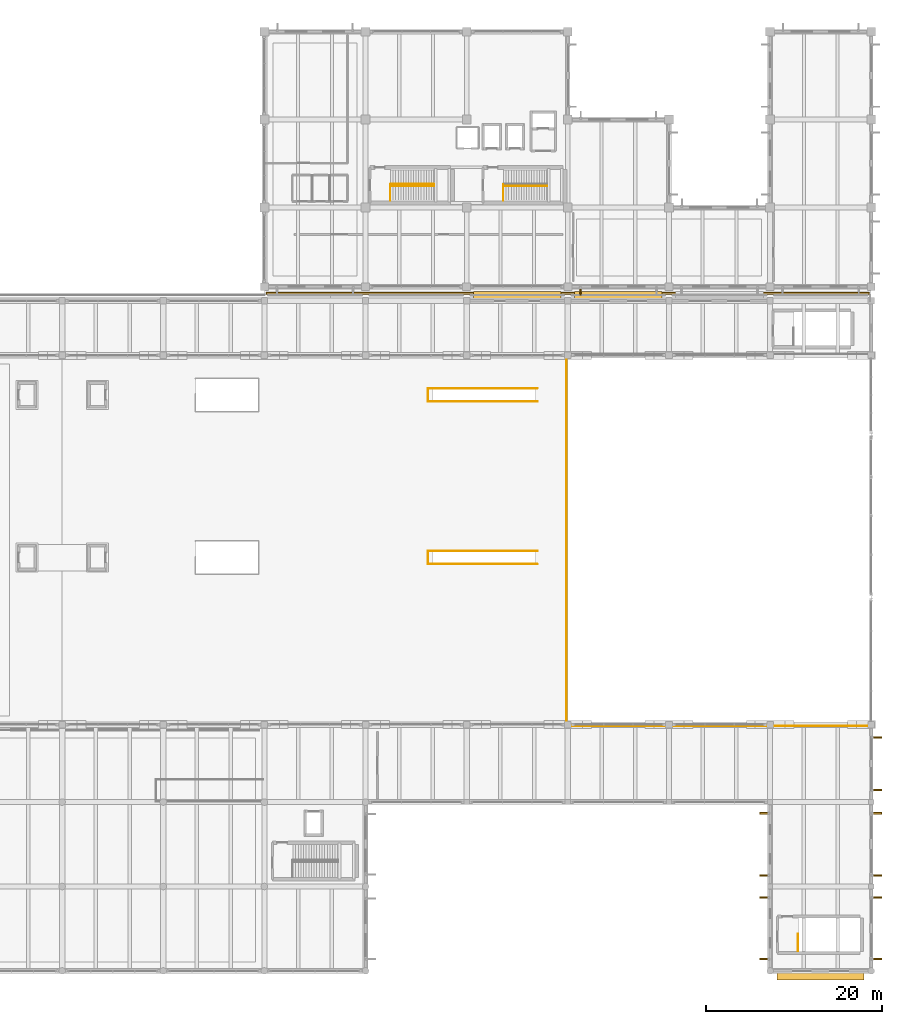
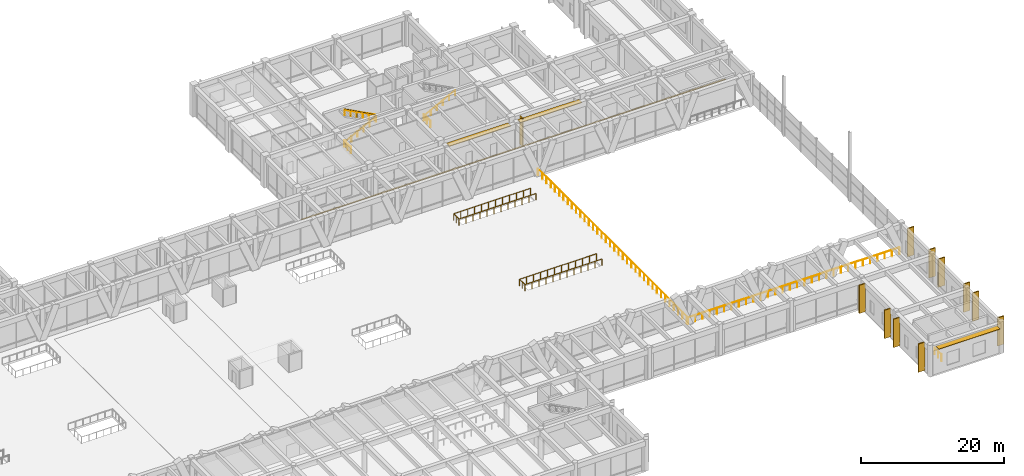
# One storey, part 147 of 148: 14 shading devices, 11 railings, 1 covering.
"""IFC4 building model written with IfcOpenShell, lengths in metres."""

from ifc_helpers import new_model, si_unit, direction, frame, origin, origin_2d, place, context, subcontext, project, spatial, polyline, rectangle, circle, outline, extrude, material, layer, layer_set, type_object, element, save


model = new_model("IFC4")

# Units and contexts
model_context = context("Model", 3, precision=1e-05, world=origin(), true_north=direction((0.0, 1.0)))
body_context = subcontext(model_context, "Body", "Model", "MODEL_VIEW")
ifc_project = project(units=[si_unit("LENGTHUNIT", "METRE"), si_unit("AREAUNIT", "SQUARE_METRE"), si_unit("VOLUMEUNIT", "CUBIC_METRE"), si_unit("PLANEANGLEUNIT", "RADIAN"), si_unit("MASSUNIT", "GRAM", prefix="KILO")], contexts=[model_context])

# Site, building, storey
site_placement = place(None, origin())
site = spatial("IfcSite", under=ifc_project, at=site_placement, CompositionType="ELEMENT")
building_placement = place(site_placement, origin())
building = spatial("IfcBuilding", under=site, at=building_placement, Name="Ologun Quay Terminus", CompositionType="ELEMENT")
storey_placement = place(building_placement, frame((0.0, 0.0, 8.39990234375)))
storey = spatial("IfcBuildingStorey", under=building, at=storey_placement, Name="L02", CompositionType="ELEMENT", Elevation=8.39990234375)

# Railings
ifc_material_1 = material(Name="Glass", Category="glass")
railing_type_1 = type_object("IfcRailingType", Name="Concourse & Atrium Glazed Balustrade 1150", PredefinedType="BALUSTRADE", material=ifc_material_1)
railing_1_placement = place(storey_placement, frame((146.050048828125, 54.25, 0.0)))
element("IfcRailing", 1, at=railing_1_placement, inside=storey, type_object=railing_type_1, Name="BL-GL Escalator Well Balustrade ESC-02", PredefinedType="BALUSTRADE", context=body_context, shape_type="SweptSolid", body=[
    extrude(circle(Radius=0.02392578125, at=origin_2d()), frame((0.0, 0.0, 1.1259765625), z_axis=(-1.0, 0.0, 0.0), x_axis=(0.0, -1.0, 0.0)), (0.0, 0.0, 1.0), 12.449951171875),
    extrude(circle(Radius=0.02392578125, at=origin_2d()), frame((-12.449951171875, 0.0, 1.1259765625), z_axis=(0.0, 1.0, 0.0), x_axis=(-1.0, 0.0, 0.0)), (0.0, 0.0, 1.0), 1.5),
    extrude(circle(Radius=0.02392578125, at=origin_2d()), frame((-12.449951171875, 1.5, 1.1259765625), z_axis=(1.0, 0.0, 0.0), x_axis=(0.0, 1.0, 0.0)), (0.0, 0.0, 1.0), 12.449951171875),
    extrude(circle(Radius=0.02099609375, at=origin_2d()), origin(), (0.0, 0.0, 1.0), 1.101806640625),
    extrude(circle(Radius=0.02099609375, at=origin_2d()), frame((-1.1318359375, 0.0, 0.0)), (0.0, 0.0, 1.0), 1.101806640625),
    extrude(circle(Radius=0.02099609375, at=origin_2d()), frame((-2.263671875, 0.0, 0.0)), (0.0, 0.0, 1.0), 1.101806640625),
    extrude(circle(Radius=0.02099609375, at=origin_2d()), frame((-3.3955078125, 0.0, 0.0)), (0.0, 0.0, 1.0), 1.101806640625),
    extrude(circle(Radius=0.02099609375, at=origin_2d()), frame((-4.52734375, 0.0, 0.0)), (0.0, 0.0, 1.0), 1.101806640625),
    extrude(circle(Radius=0.02099609375, at=origin_2d()), frame((-5.6591796875, 0.0, 0.0)), (0.0, 0.0, 1.0), 1.101806640625),
    extrude(circle(Radius=0.02099609375, at=origin_2d()), frame((-6.790771484375, 0.0, 0.0)), (0.0, 0.0, 1.0), 1.101806640625),
    extrude(circle(Radius=0.02099609375, at=origin_2d()), frame((-7.922607421875, 0.0, 0.0)), (0.0, 0.0, 1.0), 1.101806640625),
    extrude(circle(Radius=0.02099609375, at=origin_2d()), frame((-9.054443359375, 0.0, 0.0)), (0.0, 0.0, 1.0), 1.101806640625),
    extrude(circle(Radius=0.02099609375, at=origin_2d()), frame((-10.186279296875, 0.0, 0.0)), (0.0, 0.0, 1.0), 1.101806640625),
    extrude(circle(Radius=0.02099609375, at=origin_2d()), frame((-11.318115234375, 0.0, 0.0)), (0.0, 0.0, 1.0), 1.101806640625),
    extrude(circle(Radius=0.02099609375, at=origin_2d()), frame((-12.449951171875, 0.0, 0.0)), (0.0, 0.0, 1.0), 1.101806640625),
    extrude(circle(Radius=0.02099609375, at=origin_2d()), frame((-12.449951171875, 0.75, 0.0)), (0.0, 0.0, 1.0), 1.101806640625),
    extrude(circle(Radius=0.02099609375, at=origin_2d()), frame((-12.449951171875, 1.5, 0.0)), (0.0, 0.0, 1.0), 1.101806640625),
    extrude(circle(Radius=0.02099609375, at=origin_2d()), frame((-11.318115234375, 1.5, 0.0)), (0.0, 0.0, 1.0), 1.101806640625),
    extrude(circle(Radius=0.02099609375, at=origin_2d()), frame((-10.186279296875, 1.5, 0.0)), (0.0, 0.0, 1.0), 1.101806640625),
    extrude(circle(Radius=0.02099609375, at=origin_2d()), frame((-9.054443359375, 1.5, 0.0)), (0.0, 0.0, 1.0), 1.101806640625),
    extrude(circle(Radius=0.02099609375, at=origin_2d()), frame((-7.922607421875, 1.5, 0.0)), (0.0, 0.0, 1.0), 1.101806640625),
    extrude(circle(Radius=0.02099609375, at=origin_2d()), frame((-6.790771484375, 1.5, 0.0)), (0.0, 0.0, 1.0), 1.101806640625),
    extrude(circle(Radius=0.02099609375, at=origin_2d()), frame((-5.6591796875, 1.5, 0.0)), (0.0, 0.0, 1.0), 1.101806640625),
    extrude(circle(Radius=0.02099609375, at=origin_2d()), frame((-4.52734375, 1.5, 0.0)), (0.0, 0.0, 1.0), 1.101806640625),
    extrude(circle(Radius=0.02099609375, at=origin_2d()), frame((-3.3955078125, 1.5, 0.0)), (0.0, 0.0, 1.0), 1.101806640625),
    extrude(circle(Radius=0.02099609375, at=origin_2d()), frame((-2.263671875, 1.5, 0.0)), (0.0, 0.0, 1.0), 1.101806640625),
    extrude(circle(Radius=0.02099609375, at=origin_2d()), frame((-1.1318359375, 1.5, 0.0)), (0.0, 0.0, 1.0), 1.101806640625),
    extrude(circle(Radius=0.02099609375, at=origin_2d()), frame((0.0, 1.5, 0.0)), (0.0, 0.0, 1.0), 1.101806640625),
])
railing_2_placement = place(storey_placement, frame((146.050048828125, 72.75, 0.0)))
element("IfcRailing", 2, at=railing_2_placement, inside=storey, type_object=railing_type_1, Name="BL-GL Escalator Well Balustrade ESC-04", PredefinedType="BALUSTRADE", context=body_context, shape_type="SweptSolid", body=[
    extrude(circle(Radius=0.02392578125, at=origin_2d()), frame((0.0, 0.0, 1.1259765625), z_axis=(-1.0, 0.0, 0.0), x_axis=(0.0, -1.0, 0.0)), (0.0, 0.0, 1.0), 12.449951171875),
    extrude(circle(Radius=0.02392578125, at=origin_2d()), frame((-12.449951171875, 0.0, 1.1259765625), z_axis=(0.0, 1.0, 0.0), x_axis=(-1.0, 0.0, 0.0)), (0.0, 0.0, 1.0), 1.5),
    extrude(circle(Radius=0.02392578125, at=origin_2d()), frame((-12.449951171875, 1.5, 1.1259765625), z_axis=(1.0, 0.0, 0.0), x_axis=(0.0, 1.0, 0.0)), (0.0, 0.0, 1.0), 12.449951171875),
    extrude(circle(Radius=0.02099609375, at=origin_2d()), origin(), (0.0, 0.0, 1.0), 1.101806640625),
    extrude(circle(Radius=0.02099609375, at=origin_2d()), frame((-1.1318359375, 0.0, 0.0)), (0.0, 0.0, 1.0), 1.101806640625),
    extrude(circle(Radius=0.02099609375, at=origin_2d()), frame((-2.263671875, 0.0, 0.0)), (0.0, 0.0, 1.0), 1.101806640625),
    extrude(circle(Radius=0.02099609375, at=origin_2d()), frame((-3.3955078125, 0.0, 0.0)), (0.0, 0.0, 1.0), 1.101806640625),
    extrude(circle(Radius=0.02099609375, at=origin_2d()), frame((-4.52734375, 0.0, 0.0)), (0.0, 0.0, 1.0), 1.101806640625),
    extrude(circle(Radius=0.02099609375, at=origin_2d()), frame((-5.6591796875, 0.0, 0.0)), (0.0, 0.0, 1.0), 1.101806640625),
    extrude(circle(Radius=0.02099609375, at=origin_2d()), frame((-6.790771484375, 0.0, 0.0)), (0.0, 0.0, 1.0), 1.101806640625),
    extrude(circle(Radius=0.02099609375, at=origin_2d()), frame((-7.922607421875, 0.0, 0.0)), (0.0, 0.0, 1.0), 1.101806640625),
    extrude(circle(Radius=0.02099609375, at=origin_2d()), frame((-9.054443359375, 0.0, 0.0)), (0.0, 0.0, 1.0), 1.101806640625),
    extrude(circle(Radius=0.02099609375, at=origin_2d()), frame((-10.186279296875, 0.0, 0.0)), (0.0, 0.0, 1.0), 1.101806640625),
    extrude(circle(Radius=0.02099609375, at=origin_2d()), frame((-11.318115234375, 0.0, 0.0)), (0.0, 0.0, 1.0), 1.101806640625),
    extrude(circle(Radius=0.02099609375, at=origin_2d()), frame((-12.449951171875, 0.0, 0.0)), (0.0, 0.0, 1.0), 1.101806640625),
    extrude(circle(Radius=0.02099609375, at=origin_2d()), frame((-12.449951171875, 0.75, 0.0)), (0.0, 0.0, 1.0), 1.101806640625),
    extrude(circle(Radius=0.02099609375, at=origin_2d()), frame((-12.449951171875, 1.5, 0.0)), (0.0, 0.0, 1.0), 1.101806640625),
    extrude(circle(Radius=0.02099609375, at=origin_2d()), frame((-11.318115234375, 1.5, 0.0)), (0.0, 0.0, 1.0), 1.101806640625),
    extrude(circle(Radius=0.02099609375, at=origin_2d()), frame((-10.186279296875, 1.5, 0.0)), (0.0, 0.0, 1.0), 1.101806640625),
    extrude(circle(Radius=0.02099609375, at=origin_2d()), frame((-9.054443359375, 1.5, 0.0)), (0.0, 0.0, 1.0), 1.101806640625),
    extrude(circle(Radius=0.02099609375, at=origin_2d()), frame((-7.922607421875, 1.5, 0.0)), (0.0, 0.0, 1.0), 1.101806640625),
    extrude(circle(Radius=0.02099609375, at=origin_2d()), frame((-6.790771484375, 1.5, 0.0)), (0.0, 0.0, 1.0), 1.101806640625),
    extrude(circle(Radius=0.02099609375, at=origin_2d()), frame((-5.6591796875, 1.5, 0.0)), (0.0, 0.0, 1.0), 1.101806640625),
    extrude(circle(Radius=0.02099609375, at=origin_2d()), frame((-4.52734375, 1.5, 0.0)), (0.0, 0.0, 1.0), 1.101806640625),
    extrude(circle(Radius=0.02099609375, at=origin_2d()), frame((-3.3955078125, 1.5, 0.0)), (0.0, 0.0, 1.0), 1.101806640625),
    extrude(circle(Radius=0.02099609375, at=origin_2d()), frame((-2.263671875, 1.5, 0.0)), (0.0, 0.0, 1.0), 1.101806640625),
    extrude(circle(Radius=0.02099609375, at=origin_2d()), frame((-1.1318359375, 1.5, 0.0)), (0.0, 0.0, 1.0), 1.101806640625),
    extrude(circle(Radius=0.02099609375, at=origin_2d()), frame((0.0, 1.5, 0.0)), (0.0, 0.0, 1.0), 1.101806640625),
])
railing_3_placement = place(storey_placement, frame((149.35009765625, 36.14990234375, 0.0)))
element("IfcRailing", 3, at=railing_3_placement, inside=storey, type_object=railing_type_1, Name="BL-GL Concourse Bridge E Balustrade L02", PredefinedType="BALUSTRADE", context=body_context, shape_type="SweptSolid", body=[
    extrude(circle(Radius=0.02392578125, at=origin_2d()), frame((0.0, 0.0, 1.1259765625), z_axis=(0.0, 1.0, 0.0), x_axis=(-1.0, 0.0, 0.0)), (0.0, 0.0, 1.0), 41.7001953125),
    extrude(circle(Radius=0.02099609375, at=origin_2d()), origin(), (0.0, 0.0, 1.0), 1.101806640625),
    extrude(circle(Radius=0.02099609375, at=origin_2d()), frame((0.0, 1.19140625, 0.0)), (0.0, 0.0, 1.0), 1.101806640625),
    extrude(circle(Radius=0.02099609375, at=origin_2d()), frame((0.0, 2.3828125, 0.0)), (0.0, 0.0, 1.0), 1.101806640625),
    extrude(circle(Radius=0.02099609375, at=origin_2d()), frame((0.0, 3.57421875, 0.0)), (0.0, 0.0, 1.0), 1.101806640625),
    extrude(circle(Radius=0.02099609375, at=origin_2d()), frame((0.0, 4.765625, 0.0)), (0.0, 0.0, 1.0), 1.101806640625),
    extrude(circle(Radius=0.02099609375, at=origin_2d()), frame((0.0, 5.957275390625, 0.0)), (0.0, 0.0, 1.0), 1.101806640625),
    extrude(circle(Radius=0.02099609375, at=origin_2d()), frame((0.0, 7.148681640625, 0.0)), (0.0, 0.0, 1.0), 1.101806640625),
    extrude(circle(Radius=0.02099609375, at=origin_2d()), frame((0.0, 8.340087890625, 0.0)), (0.0, 0.0, 1.0), 1.101806640625),
    extrude(circle(Radius=0.02099609375, at=origin_2d()), frame((0.0, 9.531494140625, 0.0)), (0.0, 0.0, 1.0), 1.101806640625),
    extrude(circle(Radius=0.02099609375, at=origin_2d()), frame((0.0, 10.722900390625, 0.0)), (0.0, 0.0, 1.0), 1.101806640625),
    extrude(circle(Radius=0.02099609375, at=origin_2d()), frame((0.0, 11.914306640625, 0.0)), (0.0, 0.0, 1.0), 1.101806640625),
    extrude(circle(Radius=0.02099609375, at=origin_2d()), frame((0.0, 13.105712890625, 0.0)), (0.0, 0.0, 1.0), 1.101806640625),
    extrude(circle(Radius=0.02099609375, at=origin_2d()), frame((0.0, 14.297119140625, 0.0)), (0.0, 0.0, 1.0), 1.101806640625),
    extrude(circle(Radius=0.02099609375, at=origin_2d()), frame((0.0, 15.488525390625, 0.0)), (0.0, 0.0, 1.0), 1.101806640625),
    extrude(circle(Radius=0.02099609375, at=origin_2d()), frame((0.0, 16.68017578125, 0.0)), (0.0, 0.0, 1.0), 1.101806640625),
    extrude(circle(Radius=0.02099609375, at=origin_2d()), frame((0.0, 17.87158203125, 0.0)), (0.0, 0.0, 1.0), 1.101806640625),
    extrude(circle(Radius=0.02099609375, at=origin_2d()), frame((0.0, 19.06298828125, 0.0)), (0.0, 0.0, 1.0), 1.101806640625),
    extrude(circle(Radius=0.02099609375, at=origin_2d()), frame((0.0, 20.25439453125, 0.0)), (0.0, 0.0, 1.0), 1.101806640625),
    extrude(circle(Radius=0.02099609375, at=origin_2d()), frame((0.0, 21.44580078125, 0.0)), (0.0, 0.0, 1.0), 1.101806640625),
    extrude(circle(Radius=0.02099609375, at=origin_2d()), frame((0.0, 22.63720703125, 0.0)), (0.0, 0.0, 1.0), 1.101806640625),
    extrude(circle(Radius=0.02099609375, at=origin_2d()), frame((0.0, 23.82861328125, 0.0)), (0.0, 0.0, 1.0), 1.101806640625),
    extrude(circle(Radius=0.02099609375, at=origin_2d()), frame((0.0, 25.02001953125, 0.0)), (0.0, 0.0, 1.0), 1.101806640625),
    extrude(circle(Radius=0.02099609375, at=origin_2d()), frame((0.0, 26.211669921875, 0.0)), (0.0, 0.0, 1.0), 1.101806640625),
    extrude(circle(Radius=0.02099609375, at=origin_2d()), frame((0.0, 27.403076171875, 0.0)), (0.0, 0.0, 1.0), 1.101806640625),
    extrude(circle(Radius=0.02099609375, at=origin_2d()), frame((0.0, 28.594482421875, 0.0)), (0.0, 0.0, 1.0), 1.101806640625),
    extrude(circle(Radius=0.02099609375, at=origin_2d()), frame((0.0, 29.785888671875, 0.0)), (0.0, 0.0, 1.0), 1.101806640625),
    extrude(circle(Radius=0.02099609375, at=origin_2d()), frame((0.0, 30.977294921875, 0.0)), (0.0, 0.0, 1.0), 1.101806640625),
    extrude(circle(Radius=0.02099609375, at=origin_2d()), frame((0.0, 32.168701171875, 0.0)), (0.0, 0.0, 1.0), 1.101806640625),
    extrude(circle(Radius=0.02099609375, at=origin_2d()), frame((0.0, 33.360107421875, 0.0)), (0.0, 0.0, 1.0), 1.101806640625),
    extrude(circle(Radius=0.02099609375, at=origin_2d()), frame((0.0, 34.551513671875, 0.0)), (0.0, 0.0, 1.0), 1.101806640625),
    extrude(circle(Radius=0.02099609375, at=origin_2d()), frame((0.0, 35.742919921875, 0.0)), (0.0, 0.0, 1.0), 1.101806640625),
    extrude(circle(Radius=0.02099609375, at=origin_2d()), frame((0.0, 36.9345703125, 0.0)), (0.0, 0.0, 1.0), 1.101806640625),
    extrude(circle(Radius=0.02099609375, at=origin_2d()), frame((0.0, 38.1259765625, 0.0)), (0.0, 0.0, 1.0), 1.101806640625),
    extrude(circle(Radius=0.02099609375, at=origin_2d()), frame((0.0, 39.3173828125, 0.0)), (0.0, 0.0, 1.0), 1.101806640625),
    extrude(circle(Radius=0.02099609375, at=origin_2d()), frame((0.0, 40.5087890625, 0.0)), (0.0, 0.0, 1.0), 1.101806640625),
    extrude(circle(Radius=0.02099609375, at=origin_2d()), frame((0.0, 41.7001953125, 0.0)), (0.0, 0.0, 1.0), 1.101806640625),
])
railing_4_placement = place(storey_placement, frame((149.35009765625, 35.85009765625, 0.0)))
element("IfcRailing", 4, at=railing_4_placement, inside=storey, type_object=railing_type_1, Name="BL-GL South Concourse Edge Balustrade SE L02", PredefinedType="BALUSTRADE", context=body_context, shape_type="SweptSolid", body=[
    extrude(circle(Radius=0.02392578125, at=origin_2d()), frame((0.0, 0.0, 1.1259765625), z_axis=(1.0, 0.0, 0.0), x_axis=(0.0, 1.0, 0.0)), (0.0, 0.0, 1.0), 34.25),
    extrude(circle(Radius=0.02099609375, at=origin_2d()), origin(), (0.0, 0.0, 1.0), 1.101806640625),
    extrude(circle(Radius=0.02099609375, at=origin_2d()), frame((1.18115234375, 0.0, 0.0)), (0.0, 0.0, 1.0), 1.101806640625),
    extrude(circle(Radius=0.02099609375, at=origin_2d()), frame((2.362060546875, 0.0, 0.0)), (0.0, 0.0, 1.0), 1.101806640625),
    extrude(circle(Radius=0.02099609375, at=origin_2d()), frame((3.543212890625, 0.0, 0.0)), (0.0, 0.0, 1.0), 1.101806640625),
    extrude(circle(Radius=0.02099609375, at=origin_2d()), frame((4.72412109375, 0.0, 0.0)), (0.0, 0.0, 1.0), 1.101806640625),
    extrude(circle(Radius=0.02099609375, at=origin_2d()), frame((5.9052734375, 0.0, 0.0)), (0.0, 0.0, 1.0), 1.101806640625),
    extrude(circle(Radius=0.02099609375, at=origin_2d()), frame((7.086181640625, 0.0, 0.0)), (0.0, 0.0, 1.0), 1.101806640625),
    extrude(circle(Radius=0.02099609375, at=origin_2d()), frame((8.267333984375, 0.0, 0.0)), (0.0, 0.0, 1.0), 1.101806640625),
    extrude(circle(Radius=0.02099609375, at=origin_2d()), frame((9.4482421875, 0.0, 0.0)), (0.0, 0.0, 1.0), 1.101806640625),
    extrude(circle(Radius=0.02099609375, at=origin_2d()), frame((10.62939453125, 0.0, 0.0)), (0.0, 0.0, 1.0), 1.101806640625),
    extrude(circle(Radius=0.02099609375, at=origin_2d()), frame((11.810302734375, 0.0, 0.0)), (0.0, 0.0, 1.0), 1.101806640625),
    extrude(circle(Radius=0.02099609375, at=origin_2d()), frame((12.991455078125, 0.0, 0.0)), (0.0, 0.0, 1.0), 1.101806640625),
    extrude(circle(Radius=0.02099609375, at=origin_2d()), frame((14.17236328125, 0.0, 0.0)), (0.0, 0.0, 1.0), 1.101806640625),
    extrude(circle(Radius=0.02099609375, at=origin_2d()), frame((15.353515625, 0.0, 0.0)), (0.0, 0.0, 1.0), 1.101806640625),
    extrude(circle(Radius=0.02099609375, at=origin_2d()), frame((16.534423828125, 0.0, 0.0)), (0.0, 0.0, 1.0), 1.101806640625),
    extrude(circle(Radius=0.02099609375, at=origin_2d()), frame((17.715576171875, 0.0, 0.0)), (0.0, 0.0, 1.0), 1.101806640625),
    extrude(circle(Radius=0.02099609375, at=origin_2d()), frame((18.896484375, 0.0, 0.0)), (0.0, 0.0, 1.0), 1.101806640625),
    extrude(circle(Radius=0.02099609375, at=origin_2d()), frame((20.07763671875, 0.0, 0.0)), (0.0, 0.0, 1.0), 1.101806640625),
    extrude(circle(Radius=0.02099609375, at=origin_2d()), frame((21.258544921875, 0.0, 0.0)), (0.0, 0.0, 1.0), 1.101806640625),
    extrude(circle(Radius=0.02099609375, at=origin_2d()), frame((22.439697265625, 0.0, 0.0)), (0.0, 0.0, 1.0), 1.101806640625),
    extrude(circle(Radius=0.02099609375, at=origin_2d()), frame((23.62060546875, 0.0, 0.0)), (0.0, 0.0, 1.0), 1.101806640625),
    extrude(circle(Radius=0.02099609375, at=origin_2d()), frame((24.8017578125, 0.0, 0.0)), (0.0, 0.0, 1.0), 1.101806640625),
    extrude(circle(Radius=0.02099609375, at=origin_2d()), frame((25.982666015625, 0.0, 0.0)), (0.0, 0.0, 1.0), 1.101806640625),
    extrude(circle(Radius=0.02099609375, at=origin_2d()), frame((27.163818359375, 0.0, 0.0)), (0.0, 0.0, 1.0), 1.101806640625),
    extrude(circle(Radius=0.02099609375, at=origin_2d()), frame((28.3447265625, 0.0, 0.0)), (0.0, 0.0, 1.0), 1.101806640625),
    extrude(circle(Radius=0.02099609375, at=origin_2d()), frame((29.52587890625, 0.0, 0.0)), (0.0, 0.0, 1.0), 1.101806640625),
    extrude(circle(Radius=0.02099609375, at=origin_2d()), frame((30.706787109375, 0.0, 0.0)), (0.0, 0.0, 1.0), 1.101806640625),
    extrude(circle(Radius=0.02099609375, at=origin_2d()), frame((31.887939453125, 0.0, 0.0)), (0.0, 0.0, 1.0), 1.101806640625),
    extrude(circle(Radius=0.02099609375, at=origin_2d()), frame((33.06884765625, 0.0, 0.0)), (0.0, 0.0, 1.0), 1.101806640625),
    extrude(circle(Radius=0.02099609375, at=origin_2d()), frame((34.25, 0.0, 0.0)), (0.0, 0.0, 1.0), 1.101806640625),
])

# Shading devices
ifc_material_2 = material(Name="Aluminium 6063-T6", Category="aluminium")
ifc_layer_1 = layer(ifc_material_2, 0.080078125)
ifc_layer_set_1 = layer_set([ifc_layer_1], Name="Aluminium 6063-T6")
shading_device_type_1 = type_object("IfcShadingDeviceType", Name="Horizontal Extruded Aluminium Sun Louvre 900", PredefinedType="JALOUSIE", material=ifc_layer_set_1)
shading_device_1_placement = place(storey_placement, frame((178.25, 7.419921875, 4.75), z_axis=(0.0, 0.0, 1.0), x_axis=(1.0, 0.0, 0.0)))
element("IfcShadingDevice", 5, at=shading_device_1_placement, inside=storey, type_object=shading_device_type_1, Name="SD-01 Sun-Hood WEW-SA-L02-3-7", PredefinedType="JALOUSIE", context=body_context, shape_type="SweptSolid", body=[
    extrude(rectangle(XDim=9.909912109375, YDim=0.89990234375, at=origin_2d()), origin(), (0.0, 0.0, 1.0), 0.080078125),
])
for number, where, z_axis, x_axis, name in (
    (6, (143.75, 84.780029296875, 4.66015625), (0.0, 0.0, 1.0), (1.0, 0.0, 0.0), "SD-01 Sun-Hood WEW-NGW-L02-13"),
    (7, (155.25, 84.780029296875, 4.66015625), (0.0, 0.0, 1.0), (1.0, 0.0, 0.0), "SD-01 Sun-Hood WEW-NGW-L02-14"),
):
    element("IfcShadingDevice", number, at=place(storey_placement, frame(where, z_axis=z_axis, x_axis=x_axis)), inside=storey, type_object=shading_device_type_1, Name=name, PredefinedType="JALOUSIE", context=body_context, shape_type="SweptSolid", body=[
        extrude(rectangle(XDim=9.9599609375, YDim=0.89990234375, at=origin_2d()), origin(), (0.0, 0.0, 1.0), 0.080078125),
    ])
ifc_material_3 = material(Name="Concrete C40/50", Category="concrete")
ifc_layer_2 = layer(ifc_material_3, 0.159912109375)
ifc_layer_set_2 = layer_set([ifc_layer_2], Name="Concrete C40/50")
shading_device_type_2 = type_object("IfcShadingDeviceType", Name="Operations Angled Precast Solar Fin 850x160", PredefinedType="USERDEFINED", material=ifc_layer_set_2)
shading_device_2_placement = place(storey_placement, frame((150.919921875, 85.2451171875, 0.150146484375), z_axis=(0.0, 0.0, 1.0), x_axis=(1.0, 0.0, 0.0)))
element("IfcShadingDevice", 8, at=shading_device_2_placement, inside=storey, type_object=shading_device_type_2, Name="SD-05 Vertical Solar Fin WEW-EW-L02-4-1", ObjectType="SOLAR FIN", PredefinedType="USERDEFINED", context=body_context, shape_type="SweptSolid", body=[
    extrude(rectangle(XDim=0.159912109375, YDim=0.85009765625, at=origin_2d()), origin(), (0.0, 0.0, 1.0), 4.830078125),
])
ifc_material_4 = material(Name="Concrete C40/50", Category="concrete")
ifc_layer_3 = layer(ifc_material_4, 0.179931640625)
ifc_layer_set_3 = layer_set([ifc_layer_3], Name="Concrete C40/50")
shading_device_type_3 = type_object("IfcShadingDeviceType", Name="Sculpted Concrete Vertical Solar Fin 1050x180", PredefinedType="USERDEFINED", material=ifc_layer_set_3)
for number, where, z_axis, x_axis, name in (
    (9, (171.844970703125, 9.344970703125, 0.14990234375), (0.0, 0.0, 1.0), (1.0, 0.0, 0.0), "SD-04 Vertical Solar Fin WEW-SA-L02-3-5-1"),
    (10, (171.844970703125, 16.330078125, 0.14990234375), (0.0, 0.0, 1.0), (1.0, 0.0, 0.0), "SD-04 Vertical Solar Fin WEW-SA-L02-3-5-2"),
    (11, (171.844970703125, 18.8701171875, 0.14990234375), (0.0, 0.0, 1.0), (1.0, 0.0, 0.0), "SD-04 Vertical Solar Fin WEW-SA-L02-3-6-1"),
    (12, (171.844970703125, 25.929931640625, 0.14990234375), (0.0, 0.0, 1.0), (1.0, 0.0, 0.0), "SD-04 Vertical Solar Fin WEW-SA-L02-3-6-2"),
    (13, (184.655029296875, 9.344970703125, 0.14990234375), (0.0, 0.0, 1.0), (1.0, 0.0, 0.0), "SD-04 Vertical Solar Fin WEW-SA-L02-3-8-1"),
    (14, (184.655029296875, 16.330078125, 0.14990234375), (0.0, 0.0, 1.0), (1.0, 0.0, 0.0), "SD-04 Vertical Solar Fin WEW-SA-L02-3-8-2"),
    (15, (184.655029296875, 18.8701171875, 0.14990234375), (0.0, 0.0, 1.0), (1.0, 0.0, 0.0), "SD-04 Vertical Solar Fin WEW-SA-L02-3-9-1"),
    (16, (184.655029296875, 25.929931640625, 0.14990234375), (0.0, 0.0, 1.0), (1.0, 0.0, 0.0), "SD-04 Vertical Solar Fin WEW-SA-L02-3-9-2"),
    (17, (184.655029296875, 28.570068359375, 0.14990234375), (0.0, 0.0, 1.0), (1.0, 0.0, 0.0), "SD-04 Vertical Solar Fin WEW-SA-L02-3-10-1"),
    (18, (184.655029296875, 34.554931640625, 0.14990234375), (0.0, 0.0, 1.0), (1.0, 0.0, 0.0), "SD-04 Vertical Solar Fin WEW-SA-L02-3-10-2"),
):
    element("IfcShadingDevice", number, at=place(storey_placement, frame(where, z_axis=z_axis, x_axis=x_axis)), inside=storey, type_object=shading_device_type_3, Name=name, ObjectType="SOLAR FIN", PredefinedType="USERDEFINED", context=body_context, shape_type="SweptSolid", body=[
        extrude(rectangle(XDim=1.050048828125, YDim=0.179931640625, at=origin_2d()), origin(), (0.0, 0.0, 1.0), 4.840087890625),
    ])

# Covering
ifc_material_5 = material(Name="Steel S355", Category="steel")
ifc_layer_4 = layer(ifc_material_5, 0.034912109375)
ifc_layer_set_4 = layer_set([ifc_layer_4], Name="Steel S355")
covering_type = type_object("IfcCoveringType", Name="Stainless Steel Seismic Joint Cover Plate 35", PredefinedType="FLOORING", material=ifc_layer_set_4)
covering_placement = place(storey_placement, origin())
element("IfcCovering", 19, at=covering_placement, inside=storey, type_object=covering_type, Name="CV-MJC Seismic Joint Cover Plate L02-E", PredefinedType="FLOORING", context=body_context, shape_type="SweptSolid", body=[
    extrude(outline(polyline([(115.199951171875, 84.9560546875), (183.800048828125, 84.9560546875), (183.800048828125, 85.156005859375), (115.199951171875, 85.156005859375), (115.199951171875, 84.9560546875)])), origin(), (0.0, 0.0, 1.0), 0.03515625),
])

# Railings
ifc_material_6 = material(Name="Steel S355", Category="steel")
railing_type_2 = type_object("IfcRailingType", Name="Stair & Landing Steel Guardrail 1100", PredefinedType="GUARDRAIL", material=ifc_material_6)
railing_5_placement = place(storey_placement, frame((129.31005859375, 97.43994140625, 0.0)))
element("IfcRailing", 20, at=railing_5_placement, inside=storey, type_object=railing_type_2, Name="GR-ST Stair Floor Edge Guard ST-E1 L02", PredefinedType="GUARDRAIL", context=body_context, shape_type="SweptSolid", body=[
    extrude(circle(Radius=0.02392578125, at=origin_2d()), frame((0.0, 0.0, 1.076171875), z_axis=(0.0, -1.0, 0.0), x_axis=(1.0, 0.0, 0.0)), (0.0, 0.0, 1.0), 1.829833984375),
    extrude(circle(Radius=0.02099609375, at=origin_2d()), origin(), (0.0, 0.0, 1.0), 1.052001953125),
    extrude(circle(Radius=0.02099609375, at=origin_2d()), frame((0.0, -0.9150390625, 0.0)), (0.0, 0.0, 1.0), 1.052001953125),
    extrude(circle(Radius=0.02099609375, at=origin_2d()), frame((0.0, -1.829833984375, 0.0)), (0.0, 0.0, 1.0), 1.052001953125),
])
railing_6_placement = place(storey_placement, frame((129.35009765625, 97.25, 0.0)))
element("IfcRailing", 21, at=railing_6_placement, inside=storey, type_object=railing_type_2, Name="GR-ST Stair Inner Well Guard ST-E1 L02", PredefinedType="GUARDRAIL", context=body_context, shape_type="SweptSolid", body=[
    extrude(circle(Radius=0.02392578125, at=origin_2d()), frame((0.0, 0.0, 1.076171875), z_axis=(0.87828518882, 0.0, 0.478137142565), x_axis=(0.0, 1.0, 0.0)), (0.0, 0.0, 1.0), 5.647216796875),
    extrude(circle(Radius=0.02392578125, at=origin_2d()), frame((4.9599609375, 0.0, 3.7763671875), z_axis=(0.0, 1.0, 0.0), x_axis=(-1.0, 0.0, 0.0)), (0.0, 0.0, 1.0), 0.199951171875),
    extrude(circle(Radius=0.02392578125, at=origin_2d()), frame((4.9599609375, 0.199951171875, 3.7763671875), z_axis=(-0.878303343108, 0.0, 0.478103793632), x_axis=(0.0, -1.0, 0.0)), (0.0, 0.0, 1.0), 5.647216796875),
    extrude(circle(Radius=0.02099609375, at=origin_2d()), origin(), (0.0, 0.0, 1.0), 1.052001953125),
    extrude(circle(Radius=0.02099609375, at=origin_2d()), frame((0.991943359375, 0.0, 0.5400390625)), (0.0, 0.0, 1.0), 1.052001953125),
    extrude(circle(Radius=0.02099609375, at=origin_2d()), frame((1.98388671875, 0.0, 1.080078125)), (0.0, 0.0, 1.0), 1.052001953125),
    extrude(circle(Radius=0.02099609375, at=origin_2d()), frame((2.97607421875, 0.0, 1.6201171875)), (0.0, 0.0, 1.0), 1.052001953125),
    extrude(circle(Radius=0.02099609375, at=origin_2d()), frame((3.968017578125, 0.0, 2.16015625)), (0.0, 0.0, 1.0), 1.052001953125),
    extrude(circle(Radius=0.02099609375, at=origin_2d()), frame((4.9599609375, 0.0, 2.7001953125)), (0.0, 0.0, 1.0), 1.052001953125),
    extrude(circle(Radius=0.02099609375, at=origin_2d()), frame((4.9599609375, 0.199951171875, 2.7001953125)), (0.0, 0.0, 1.0), 1.052001953125),
    extrude(circle(Radius=0.02099609375, at=origin_2d()), frame((3.968017578125, 0.199951171875, 3.240234375)), (0.0, 0.0, 1.0), 1.052001953125),
    extrude(circle(Radius=0.02099609375, at=origin_2d()), frame((2.97607421875, 0.199951171875, 3.7802734375)), (0.0, 0.0, 1.0), 1.052001953125),
    extrude(circle(Radius=0.02099609375, at=origin_2d()), frame((1.98388671875, 0.199951171875, 4.320068359375)), (0.0, 0.0, 1.0), 1.052001953125),
    extrude(circle(Radius=0.02099609375, at=origin_2d()), frame((0.991943359375, 0.199951171875, 4.860107421875)), (0.0, 0.0, 1.0), 1.052001953125),
    extrude(circle(Radius=0.02099609375, at=origin_2d()), frame((0.0, 0.199951171875, 5.400146484375)), (0.0, 0.0, 1.0), 1.052001953125),
])
railing_7_placement = place(storey_placement, frame((142.159912109375, 97.43994140625, 0.0)))
element("IfcRailing", 22, at=railing_7_placement, inside=storey, type_object=railing_type_2, Name="GR-ST Stair Floor Edge Guard ST-E2 L02", PredefinedType="GUARDRAIL", context=body_context, shape_type="SweptSolid", body=[
    extrude(circle(Radius=0.02392578125, at=origin_2d()), frame((0.0, 0.0, 1.076171875), z_axis=(0.0, -1.0, 0.0), x_axis=(1.0, 0.0, 0.0)), (0.0, 0.0, 1.0), 1.829833984375),
    extrude(circle(Radius=0.02099609375, at=origin_2d()), origin(), (0.0, 0.0, 1.0), 1.052001953125),
    extrude(circle(Radius=0.02099609375, at=origin_2d()), frame((0.0, -0.9150390625, 0.0)), (0.0, 0.0, 1.0), 1.052001953125),
    extrude(circle(Radius=0.02099609375, at=origin_2d()), frame((0.0, -1.829833984375, 0.0)), (0.0, 0.0, 1.0), 1.052001953125),
])
railing_8_placement = place(storey_placement, frame((175.659912109375, 12.18994140625, 0.0)))
element("IfcRailing", 23, at=railing_8_placement, inside=storey, type_object=railing_type_2, Name="GR-ST Stair Floor Edge Guard ST-S2 L02", PredefinedType="GUARDRAIL", context=body_context, shape_type="SweptSolid", body=[
    extrude(circle(Radius=0.02392578125, at=origin_2d()), frame((0.0, 0.0, 1.076171875), z_axis=(0.0, -1.0, 0.0), x_axis=(1.0, 0.0, 0.0)), (0.0, 0.0, 1.0), 1.929931640625),
    extrude(circle(Radius=0.02099609375, at=origin_2d()), origin(), (0.0, 0.0, 1.0), 1.052001953125),
    extrude(circle(Radius=0.02099609375, at=origin_2d()), frame((0.0, -0.96484375, 0.0)), (0.0, 0.0, 1.0), 1.052001953125),
    extrude(circle(Radius=0.02099609375, at=origin_2d()), frame((0.0, -1.929931640625, 0.0)), (0.0, 0.0, 1.0), 1.052001953125),
])
ifc_material_7 = material(Name="Steel S355", Category="steel")
railing_type_3 = type_object("IfcRailingType", Name="Stair Stainless Tubular Handrail 920", PredefinedType="HANDRAIL", material=ifc_material_7)
railing_9_placement = place(storey_placement, frame((129.35009765625, 97.239990234375, 0.150146484375)))
element("IfcRailing", 24, at=railing_9_placement, inside=storey, type_object=railing_type_3, Name="HR-ST Handrail ST-E1-F1 L02", PredefinedType="HANDRAIL", context=body_context, shape_type="SweptSolid", body=[
    extrude(circle(Radius=0.02392578125, at=origin_2d()), frame((0.0, 0.0, 0.89599609375), z_axis=(0.888211453661, 0.0, 0.459434885034), x_axis=(0.0, 1.0, 0.0)), (0.0, 0.0, 1.0), 5.55029296875),
    extrude(circle(Radius=0.02099609375, at=origin_2d()), origin(), (0.0, 0.0, 1.0), 0.871826171875),
    extrude(circle(Radius=0.02099609375, at=origin_2d()), frame((0.986083984375, 0.0, 0.510009765625)), (0.0, 0.0, 1.0), 0.871826171875),
    extrude(circle(Radius=0.02099609375, at=origin_2d()), frame((1.971923828125, 0.0, 1.02001953125)), (0.0, 0.0, 1.0), 0.871826171875),
    extrude(circle(Radius=0.02099609375, at=origin_2d()), frame((2.9580078125, 0.0, 1.530029296875)), (0.0, 0.0, 1.0), 0.871826171875),
    extrude(circle(Radius=0.02099609375, at=origin_2d()), frame((3.94384765625, 0.0, 2.0400390625)), (0.0, 0.0, 1.0), 0.871826171875),
    extrude(circle(Radius=0.02099609375, at=origin_2d()), frame((4.929931640625, 0.0, 2.550048828125)), (0.0, 0.0, 1.0), 0.871826171875),
])
railing_10_placement = place(storey_placement, frame((134.280029296875, 97.4599609375, 2.85009765625)))
element("IfcRailing", 25, at=railing_10_placement, inside=storey, type_object=railing_type_3, Name="HR-ST Handrail ST-E1-F2 L02", PredefinedType="HANDRAIL", context=body_context, shape_type="SweptSolid", body=[
    extrude(circle(Radius=0.02392578125, at=origin_2d()), frame((0.0, 0.0, 0.89599609375), z_axis=(-0.888211453661, 0.0, 0.459434885034), x_axis=(0.0, -1.0, 0.0)), (0.0, 0.0, 1.0), 5.55029296875),
    extrude(circle(Radius=0.02099609375, at=origin_2d()), origin(), (0.0, 0.0, 1.0), 0.871826171875),
    extrude(circle(Radius=0.02099609375, at=origin_2d()), frame((-0.986083984375, 0.0, 0.510009765625)), (0.0, 0.0, 1.0), 0.871826171875),
    extrude(circle(Radius=0.02099609375, at=origin_2d()), frame((-1.971923828125, 0.0, 1.02001953125)), (0.0, 0.0, 1.0), 0.871826171875),
    extrude(circle(Radius=0.02099609375, at=origin_2d()), frame((-2.9580078125, 0.0, 1.530029296875)), (0.0, 0.0, 1.0), 0.871826171875),
    extrude(circle(Radius=0.02099609375, at=origin_2d()), frame((-3.94384765625, 0.0, 2.0400390625)), (0.0, 0.0, 1.0), 0.871826171875),
    extrude(circle(Radius=0.02099609375, at=origin_2d()), frame((-4.929931640625, 0.0, 2.550048828125)), (0.0, 0.0, 1.0), 0.871826171875),
])
railing_11_placement = place(storey_placement, frame((142.199951171875, 97.239990234375, 0.150146484375)))
element("IfcRailing", 26, at=railing_11_placement, inside=storey, type_object=railing_type_3, Name="HR-ST Handrail ST-E2-F1 L02", PredefinedType="HANDRAIL", context=body_context, shape_type="SweptSolid", body=[
    extrude(circle(Radius=0.02392578125, at=origin_2d()), frame((0.0, 0.0, 0.89599609375), z_axis=(0.888211453661, 0.0, 0.459434885034), x_axis=(0.0, 1.0, 0.0)), (0.0, 0.0, 1.0), 5.55029296875),
    extrude(circle(Radius=0.02099609375, at=origin_2d()), origin(), (0.0, 0.0, 1.0), 0.871826171875),
    extrude(circle(Radius=0.02099609375, at=origin_2d()), frame((0.986083984375, 0.0, 0.510009765625)), (0.0, 0.0, 1.0), 0.871826171875),
    extrude(circle(Radius=0.02099609375, at=origin_2d()), frame((1.971923828125, 0.0, 1.02001953125)), (0.0, 0.0, 1.0), 0.871826171875),
    extrude(circle(Radius=0.02099609375, at=origin_2d()), frame((2.9580078125, 0.0, 1.530029296875)), (0.0, 0.0, 1.0), 0.871826171875),
    extrude(circle(Radius=0.02099609375, at=origin_2d()), frame((3.94384765625, 0.0, 2.0400390625)), (0.0, 0.0, 1.0), 0.871826171875),
    extrude(circle(Radius=0.02099609375, at=origin_2d()), frame((4.929931640625, 0.0, 2.550048828125)), (0.0, 0.0, 1.0), 0.871826171875),
])

save(model, "model.ifc")
